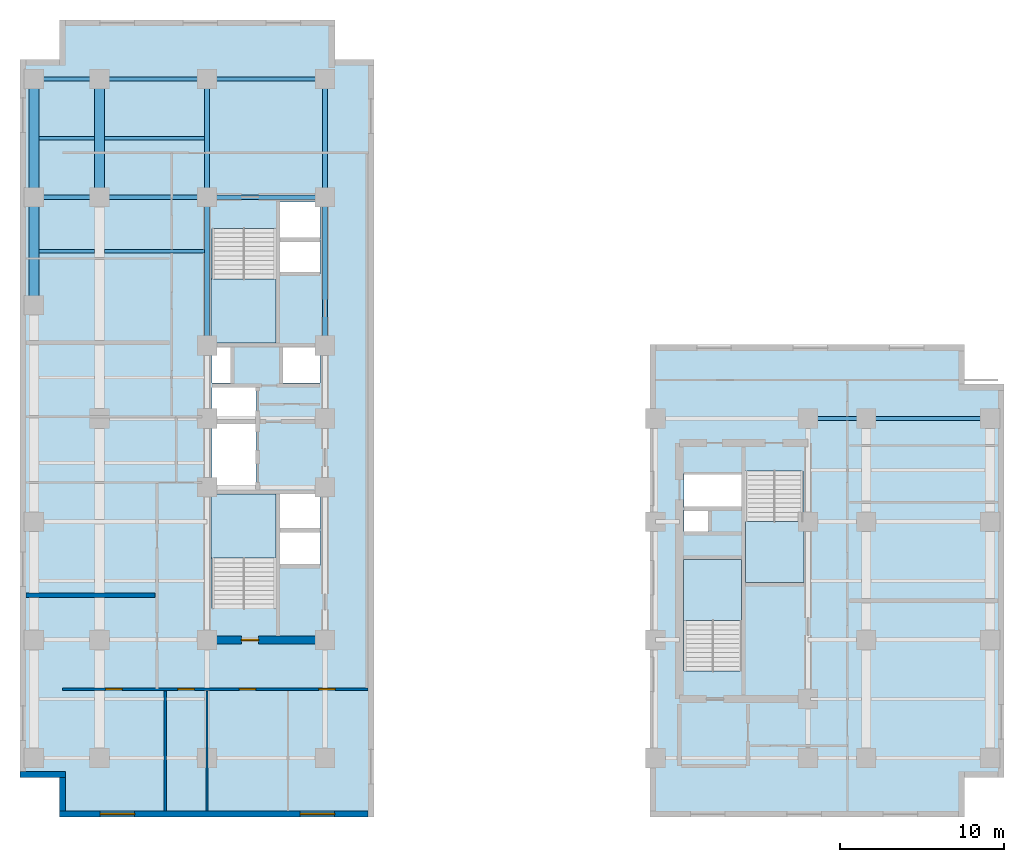
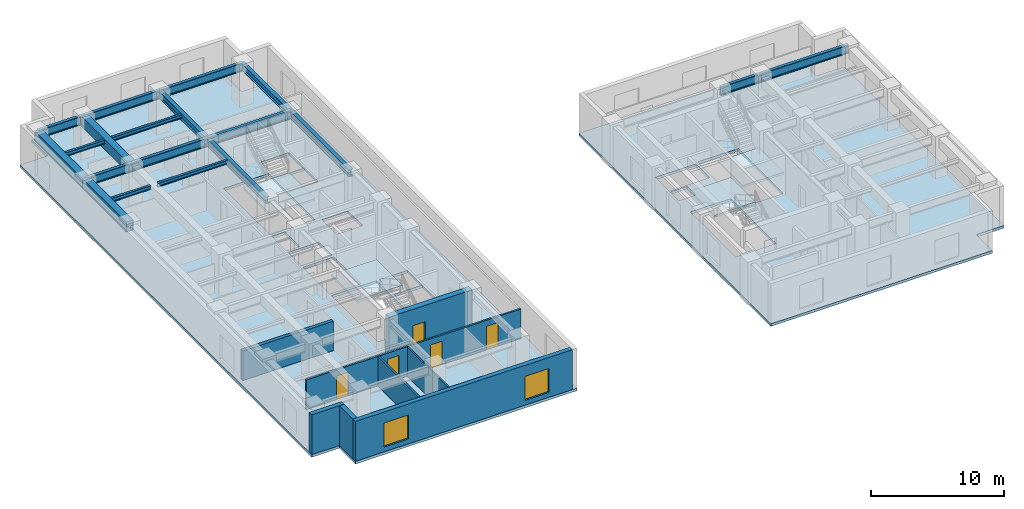
# One storey, part 2 of 8: 19 beams, 8 walls, 6 slabs, 5 doors, 2 windows, 7 openings, 4 elements without a shape of their own.
"""IFC4 building model written with IfcOpenShell, lengths in metres."""

from ifc_helpers import new_model, entity, si_unit, converted_unit, direction, frame, origin_with_axes, origin_2d_with_axis, place, context, subcontext, project, spatial, polyline, rectangle, i_section, outline, extrude, material, layer, layer_set, material_profile, profile_set, type_object, element, fill, aggregate, save


model = new_model("IFC4")

# Units and contexts
model_context = context("Model", 3, precision=1e-05, world=origin_with_axes(), true_north=direction((0.0, 1.0)))
body_context = subcontext(model_context, "Body", "Model", "MODEL_VIEW")
ifc_project = project(units=[si_unit("LENGTHUNIT", "METRE"), si_unit("AREAUNIT", "SQUARE_METRE"), si_unit("VOLUMEUNIT", "CUBIC_METRE"), converted_unit("PLANEANGLEUNIT", "DEGREE", entity("IfcPlaneAngleMeasure", 0.017453292519943295), si_unit("PLANEANGLEUNIT", "RADIAN"), dimensions=[0, 0, 0, 0, 0, 0, 0]), si_unit("MASSUNIT", "GRAM", prefix="KILO"), si_unit("THERMODYNAMICTEMPERATUREUNIT", "KELVIN")], contexts=[model_context])

# Site, building, storey
site_placement = place(None, origin_with_axes())
site = spatial("IfcSite", under=ifc_project, at=site_placement, CompositionType="ELEMENT")
building_placement = place(site_placement, origin_with_axes())
building = spatial("IfcBuilding", under=site, at=building_placement, Name="Varnlund Millrace Tower", CompositionType="ELEMENT")
storey_placement = place(building_placement, frame((0.0, 0.0, 116.4), z_axis=(0.0, 0.0, 1.0), x_axis=(1.0, 0.0, 0.0)))
storey = spatial("IfcBuildingStorey", under=building, at=storey_placement, Name="L28", CompositionType="ELEMENT", Elevation=116.4)

# Beams
ifc_material_1 = material(Name="Steel ASTM A992 Grade 50", Category="steel")
ifc_material_profile_1 = material_profile(ifc_material_1, i_section(OverallWidth=0.328, OverallDepth=0.628, WebThickness=0.0165, FlangeThickness=0.0277, FilletRadius=0.018, at=origin_2d_with_axis()), Name="Steel ASTM A992 Grade 50")
ifc_profile_set_1 = profile_set([ifc_material_profile_1], Name="Steel ASTM A992 Grade 50")
beam_type_1 = type_object("IfcBeamType", Name="Type-Girder-W24X146", PredefinedType="USERDEFINED", material=ifc_profile_set_1)
beam_1_placement = place(storey_placement, frame((11.4, 28.75, 3.346), z_axis=(0.0, 1.0, 0.0), x_axis=(-1.0, 0.0, 0.0)))
element("IfcBeam", 1, at=beam_1_placement, inside=storey, type_object=beam_type_1, Name="Type-Girder-W24X146", ObjectType="GIRDER", PredefinedType="USERDEFINED", context=body_context, shape_type="SweptSolid", body=[
    extrude(i_section(OverallWidth=0.328, OverallDepth=0.628, WebThickness=0.0165, FlangeThickness=0.0277, FilletRadius=0.018, at=origin_2d_with_axis()), origin_with_axes(), (0.0, 0.0, 1.0), 9.05),
])
beam_2_placement = place(storey_placement, frame((11.4, 37.8, 3.346), z_axis=(0.0, 1.0, 0.0), x_axis=(-1.0, 0.0, 0.0)))
element("IfcBeam", 2, at=beam_2_placement, inside=storey, type_object=beam_type_1, Name="Type-Girder-W24X146", ObjectType="GIRDER", PredefinedType="USERDEFINED", context=body_context, shape_type="SweptSolid", body=[
    extrude(i_section(OverallWidth=0.328, OverallDepth=0.628, WebThickness=0.0165, FlangeThickness=0.0277, FilletRadius=0.018, at=origin_2d_with_axis()), origin_with_axes(), (0.0, 0.0, 1.0), 7.2),
])
beam_3_placement = place(storey_placement, frame((18.6, 28.75, 3.346), z_axis=(0.0, 1.0, 0.0), x_axis=(-1.0, 0.0, 0.0)))
element("IfcBeam", 3, at=beam_3_placement, inside=storey, type_object=beam_type_1, Name="Type-Girder-W24X146", ObjectType="GIRDER", PredefinedType="USERDEFINED", context=body_context, shape_type="SweptSolid", body=[
    extrude(i_section(OverallWidth=0.328, OverallDepth=0.628, WebThickness=0.0165, FlangeThickness=0.0277, FilletRadius=0.018, at=origin_2d_with_axis()), origin_with_axes(), (0.0, 0.0, 1.0), 9.05),
])
beam_4_placement = place(storey_placement, frame((18.6, 37.8, 3.346), z_axis=(0.0, 1.0, 0.0), x_axis=(-1.0, 0.0, 0.0)))
element("IfcBeam", 4, at=beam_4_placement, inside=storey, type_object=beam_type_1, Name="Type-Girder-W24X146", ObjectType="GIRDER", PredefinedType="USERDEFINED", context=body_context, shape_type="SweptSolid", body=[
    extrude(i_section(OverallWidth=0.328, OverallDepth=0.628, WebThickness=0.0165, FlangeThickness=0.0277, FilletRadius=0.018, at=origin_2d_with_axis()), origin_with_axes(), (0.0, 0.0, 1.0), 7.2),
])
ifc_material_profile_2 = material_profile(ifc_material_1, i_section(OverallWidth=0.266, OverallDepth=0.779, WebThickness=0.0165, FlangeThickness=0.03, FilletRadius=0.02, at=origin_2d_with_axis()), Name="Steel ASTM A992 Grade 50")
ifc_profile_set_2 = profile_set([ifc_material_profile_2], Name="Steel ASTM A992 Grade 50")
beam_type_2 = type_object("IfcBeamType", Name="Type-Girder-W30X148", PredefinedType="USERDEFINED", material=ifc_profile_set_2)
beam_5_placement = place(storey_placement, frame((48.05, 24.3, 3.2705), z_axis=(1.0, 0.0, 0.0), x_axis=(0.0, 1.0, 0.0)))
element("IfcBeam", 5, at=beam_5_placement, inside=storey, type_object=beam_type_2, Name="Type-Girder-W30X148", ObjectType="GIRDER", PredefinedType="USERDEFINED", context=body_context, shape_type="SweptSolid", body=[
    extrude(i_section(OverallWidth=0.266, OverallDepth=0.779, WebThickness=0.0165, FlangeThickness=0.03, FilletRadius=0.02, at=origin_2d_with_axis()), origin_with_axes(), (0.0, 0.0, 1.0), 3.55),
])
beam_6_placement = place(storey_placement, frame((51.6, 24.3, 3.2705), z_axis=(1.0, 0.0, 0.0), x_axis=(0.0, 1.0, 0.0)))
element("IfcBeam", 6, at=beam_6_placement, inside=storey, type_object=beam_type_2, Name="Type-Girder-W30X148", ObjectType="GIRDER", PredefinedType="USERDEFINED", context=body_context, shape_type="SweptSolid", body=[
    extrude(i_section(OverallWidth=0.266, OverallDepth=0.779, WebThickness=0.0165, FlangeThickness=0.03, FilletRadius=0.02, at=origin_2d_with_axis()), origin_with_axes(), (0.0, 0.0, 1.0), 7.55),
])
beam_7_placement = place(storey_placement, frame((0.85, 37.8, 3.2705), z_axis=(1.0, 0.0, 0.0), x_axis=(0.0, 1.0, 0.0)))
element("IfcBeam", 7, at=beam_7_placement, inside=storey, type_object=beam_type_2, Name="Type-Girder-W30X148", ObjectType="GIRDER", PredefinedType="USERDEFINED", context=body_context, shape_type="SweptSolid", body=[
    extrude(i_section(OverallWidth=0.266, OverallDepth=0.779, WebThickness=0.0165, FlangeThickness=0.03, FilletRadius=0.02, at=origin_2d_with_axis()), origin_with_axes(), (0.0, 0.0, 1.0), 4.0),
])
beam_8_placement = place(storey_placement, frame((4.85, 37.8, 3.2705), z_axis=(1.0, 0.0, 0.0), x_axis=(0.0, 1.0, 0.0)))
element("IfcBeam", 8, at=beam_8_placement, inside=storey, type_object=beam_type_2, Name="Type-Girder-W30X148", ObjectType="GIRDER", PredefinedType="USERDEFINED", context=body_context, shape_type="SweptSolid", body=[
    extrude(i_section(OverallWidth=0.266, OverallDepth=0.779, WebThickness=0.0165, FlangeThickness=0.03, FilletRadius=0.02, at=origin_2d_with_axis()), origin_with_axes(), (0.0, 0.0, 1.0), 6.55),
])
beam_9_placement = place(storey_placement, frame((11.4, 37.8, 3.2705), z_axis=(1.0, 0.0, 0.0), x_axis=(0.0, 1.0, 0.0)))
element("IfcBeam", 9, at=beam_9_placement, inside=storey, type_object=beam_type_2, Name="Type-Girder-W30X148", ObjectType="GIRDER", PredefinedType="USERDEFINED", context=body_context, shape_type="SweptSolid", body=[
    extrude(i_section(OverallWidth=0.266, OverallDepth=0.779, WebThickness=0.0165, FlangeThickness=0.03, FilletRadius=0.02, at=origin_2d_with_axis()), origin_with_axes(), (0.0, 0.0, 1.0), 7.2),
])
beam_10_placement = place(storey_placement, frame((0.85, 45.0, 3.2705), z_axis=(1.0, 0.0, 0.0), x_axis=(0.0, 1.0, 0.0)))
element("IfcBeam", 10, at=beam_10_placement, inside=storey, type_object=beam_type_2, Name="Type-Girder-W30X148", ObjectType="GIRDER", PredefinedType="USERDEFINED", context=body_context, shape_type="SweptSolid", body=[
    extrude(i_section(OverallWidth=0.266, OverallDepth=0.779, WebThickness=0.0165, FlangeThickness=0.03, FilletRadius=0.02, at=origin_2d_with_axis()), origin_with_axes(), (0.0, 0.0, 1.0), 4.0),
])
beam_11_placement = place(storey_placement, frame((4.85, 45.0, 3.2705), z_axis=(1.0, 0.0, 0.0), x_axis=(0.0, 1.0, 0.0)))
element("IfcBeam", 11, at=beam_11_placement, inside=storey, type_object=beam_type_2, Name="Type-Girder-W30X148", ObjectType="GIRDER", PredefinedType="USERDEFINED", context=body_context, shape_type="SweptSolid", body=[
    extrude(i_section(OverallWidth=0.266, OverallDepth=0.779, WebThickness=0.0165, FlangeThickness=0.03, FilletRadius=0.02, at=origin_2d_with_axis()), origin_with_axes(), (0.0, 0.0, 1.0), 6.55),
])
beam_12_placement = place(storey_placement, frame((11.4, 45.0, 3.2705), z_axis=(1.0, 0.0, 0.0), x_axis=(0.0, 1.0, 0.0)))
element("IfcBeam", 12, at=beam_12_placement, inside=storey, type_object=beam_type_2, Name="Type-Girder-W30X148", ObjectType="GIRDER", PredefinedType="USERDEFINED", context=body_context, shape_type="SweptSolid", body=[
    extrude(i_section(OverallWidth=0.266, OverallDepth=0.779, WebThickness=0.0165, FlangeThickness=0.03, FilletRadius=0.02, at=origin_2d_with_axis()), origin_with_axes(), (0.0, 0.0, 1.0), 7.2),
])
ifc_material_profile_3 = material_profile(ifc_material_1, i_section(OverallWidth=0.204, OverallDepth=0.35, WebThickness=0.0086, FlangeThickness=0.0151, FilletRadius=0.013, at=origin_2d_with_axis()), Name="Steel ASTM A992 Grade 50")
ifc_profile_set_3 = profile_set([ifc_material_profile_3], Name="Steel ASTM A992 Grade 50")
beam_type_3 = type_object("IfcBeamType", Name="Type-Joist-W14X48", PredefinedType="JOIST", material=ifc_profile_set_3)
for number, where, z_axis, x_axis, name in (
    (13, (1.15, 34.5, 3.485), (1.0, 0.0, 0.0), (0.0, 1.0, 0.0), "Type-Joist-W14X48"),
    (14, (1.15, 41.4, 3.485), (1.0, 0.0, 0.0), (0.0, 1.0, 0.0), "Type-Joist-W14X48"),
):
    element("IfcBeam", number, at=place(storey_placement, frame(where, z_axis=z_axis, x_axis=x_axis)), inside=storey, type_object=beam_type_3, Name=name, PredefinedType="JOIST", context=body_context, shape_type="SweptSolid", body=[
        extrude(i_section(OverallWidth=0.204, OverallDepth=0.35, WebThickness=0.0086, FlangeThickness=0.0151, FilletRadius=0.013, at=origin_2d_with_axis()), origin_with_axes(), (0.0, 0.0, 1.0), 3.4),
    ])
for number, where, z_axis, x_axis, name in (
    (15, (5.15, 34.5, 3.485), (1.0, 0.0, 0.0), (0.0, 1.0, 0.0), "Type-Joist-W14X48"),
    (16, (5.15, 41.4, 3.485), (1.0, 0.0, 0.0), (0.0, 1.0, 0.0), "Type-Joist-W14X48"),
):
    element("IfcBeam", number, at=place(storey_placement, frame(where, z_axis=z_axis, x_axis=x_axis)), inside=storey, type_object=beam_type_3, Name=name, PredefinedType="JOIST", context=body_context, shape_type="SweptSolid", body=[
        extrude(i_section(OverallWidth=0.204, OverallDepth=0.35, WebThickness=0.0086, FlangeThickness=0.0151, FilletRadius=0.013, at=origin_2d_with_axis()), origin_with_axes(), (0.0, 0.0, 1.0), 6.086),
    ])
ifc_material_2 = material(Name="Concrete C70/85", Category="concrete")
ifc_material_profile_4 = material_profile(ifc_material_2, rectangle(XDim=0.6, YDim=0.9, at=origin_2d_with_axis()), Name="Concrete C70/85")
ifc_profile_set_4 = profile_set([ifc_material_profile_4], Name="Concrete C70/85")
beam_type_4 = type_object("IfcBeamType", Name="Type-Spandrel-RC600X900", PredefinedType="SPANDREL", material=ifc_profile_set_4)
beam_13_placement = place(storey_placement, frame((0.85, 31.2, 3.21), z_axis=(0.0, 1.0, 0.0), x_axis=(-1.0, 0.0, 0.0)))
element("IfcBeam", 17, at=beam_13_placement, inside=storey, type_object=beam_type_4, Name="Type-Spandrel-RC600X900", PredefinedType="SPANDREL", context=body_context, shape_type="SweptSolid", body=[
    extrude(rectangle(XDim=0.6, YDim=0.9, at=origin_2d_with_axis()), origin_with_axes(), (0.0, 0.0, 1.0), 6.6),
])
for number, where, z_axis, x_axis, name in (
    (18, (0.85, 37.8, 3.21), (0.0, 1.0, 0.0), (-1.0, 0.0, 0.0), "Type-Spandrel-RC600X900"),
    (19, (4.85, 37.8, 3.21), (0.0, 1.0, 0.0), (-1.0, 0.0, 0.0), "Type-Spandrel-RC600X900"),
):
    element("IfcBeam", number, at=place(storey_placement, frame(where, z_axis=z_axis, x_axis=x_axis)), inside=storey, type_object=beam_type_4, Name=name, PredefinedType="SPANDREL", context=body_context, shape_type="SweptSolid", body=[
        extrude(rectangle(XDim=0.6, YDim=0.9, at=origin_2d_with_axis()), origin_with_axes(), (0.0, 0.0, 1.0), 7.2),
    ])

# Slabs
ifc_material_3 = material(Name="Concrete C60/75", Category="concrete")
ifc_layer_1 = layer(ifc_material_3, 0.24, Name="Concrete C60/75")
ifc_layer_set_1 = layer_set([ifc_layer_1], Name="Concrete C60/75")
slab_type_1 = type_object("IfcSlabType", Name="Type-Deck-Plate-Typical-240", PredefinedType="FLOOR", material=ifc_layer_set_1)
slab_1_placement = place(storey_placement, frame((0.0, 0.0, -0.24), z_axis=(0.0, 0.0, 1.0), x_axis=(1.0, 0.0, 0.0)))
element("IfcSlab", 20, at=slab_1_placement, inside=storey, type_object=slab_type_1, Name="Type-Deck-Plate-Typical-240", PredefinedType="FLOOR", context=body_context, shape_type="SweptSolid", body=[
    extrude(outline(polyline([(2.4, 2.4), (2.4, 0.0), (21.6, 0.0), (21.6, 46.2), (19.2, 46.2), (19.2, 48.6), (2.4, 48.6), (2.4, 46.2), (0.0, 46.2), (0.0, 2.4), (2.4, 2.4)]), holes=[polyline([(15.6, 19.7), (15.6, 12.715), (11.7, 12.715), (11.7, 19.7), (15.6, 19.7)]), polyline([(11.7, 23.98), (14.38, 23.98), (14.38, 19.94), (11.7, 19.94), (11.7, 23.98)]), polyline([(14.38, 24.24), (11.7, 24.24), (11.7, 26.2), (14.38, 26.2), (14.38, 24.24)]), polyline([(12.84, 26.46), (11.7, 26.46), (11.7, 28.65), (12.84, 28.65), (12.84, 26.46)]), polyline([(15.6, 35.885), (15.6, 28.9), (11.7, 28.9), (11.7, 35.885), (15.6, 35.885)]), polyline([(18.3, 15.34), (15.84, 15.34), (15.84, 17.46), (18.3, 17.46), (18.3, 15.34)]), polyline([(18.3, 17.52), (15.84, 17.52), (15.84, 19.7), (18.3, 19.7), (18.3, 17.52)]), polyline([(18.3, 28.65), (18.3, 26.46), (16.04, 26.46), (16.04, 28.65), (18.3, 28.65)]), polyline([(18.3, 33.12), (15.84, 33.12), (15.84, 35.18), (18.3, 35.18), (18.3, 33.12)]), polyline([(18.3, 35.22), (15.84, 35.22), (15.84, 37.5), (18.3, 37.5), (18.3, 35.22)])]), origin_with_axes(), (0.0, 0.0, 1.0), 0.24),
])
slab_2_placement = place(storey_placement, frame((0.0, 0.0, -0.24), z_axis=(0.0, 0.0, 1.0), x_axis=(1.0, 0.0, 0.0)))
element("IfcSlab", 21, at=slab_2_placement, inside=storey, type_object=slab_type_1, Name="Type-Deck-Plate-Typical-240", PredefinedType="FLOOR", context=body_context, shape_type="SweptSolid", body=[
    extrude(outline(polyline([(38.4, 0.0), (57.6, 0.0), (57.6, 2.4), (60.0, 2.4), (60.0, 26.4), (57.6, 26.4), (57.6, 28.8), (38.4, 28.8), (38.4, 0.0)]), holes=[polyline([(40.5, 15.7), (44.0, 15.7), (44.0, 8.915), (40.5, 8.915), (40.5, 15.7)]), polyline([(44.25, 21.085), (47.75, 21.085), (47.75, 14.3), (44.25, 14.3), (44.25, 21.085)]), polyline([(40.5, 18.72), (41.95, 18.72), (41.95, 17.42), (40.5, 17.42), (40.5, 18.72)]), polyline([(40.5, 20.94), (44.0, 20.94), (44.0, 18.88), (40.5, 18.88), (40.5, 20.94)])]), origin_with_axes(), (0.0, 0.0, 1.0), 0.24),
])

# Stair, slab
ifc_material_4 = material(Name="Concrete C50/60", Category="concrete")
stair_type_1 = type_object("IfcStairType", Name="Type-Stair-Dogleg-185-390", PredefinedType="HALF_TURN_STAIR", material=ifc_material_4)
stair_1_placement = place(storey_placement, origin_with_axes())
stair_1 = element("IfcStair", 22, at=stair_1_placement, inside=storey, type_object=stair_type_1, Name="Type-Stair-Dogleg-185-390", PredefinedType="HALF_TURN_STAIR")
ifc_layer_2 = layer(ifc_material_4, 0.2, Name="Concrete C50/60")
ifc_layer_set_2 = layer_set([ifc_layer_2], Name="Concrete C50/60")
slab_type_2 = type_object("IfcSlabType", Name="Type-StairLanding-200", PredefinedType="LANDING", material=ifc_layer_set_2)
slab_3_placement = place(storey_placement, frame((0.0, 0.0, 1.75), z_axis=(0.0, 0.0, 1.0), x_axis=(1.0, 0.0, 0.0)))
slab_3 = element("IfcSlab", 23, at=slab_3_placement, type_object=slab_type_2, Name="ST-A1 landing 1", PredefinedType="LANDING", context=body_context, shape_type="SweptSolid", body=[
    extrude(outline(polyline([(15.6, 15.78), (15.6, 19.7), (11.65, 19.7), (11.65, 15.78), (15.6, 15.78)])), origin_with_axes(), (0.0, 0.0, 1.0), 0.2),
])
aggregate(stair_1, [slab_3])

stair_2_placement = place(storey_placement, origin_with_axes())
stair_2 = element("IfcStair", 24, at=stair_2_placement, inside=storey, type_object=stair_type_1, Name="Type-Stair-Dogleg-185-390", PredefinedType="HALF_TURN_STAIR")
slab_4_placement = place(storey_placement, frame((0.0, 0.0, 1.75), z_axis=(0.0, 0.0, 1.0), x_axis=(1.0, 0.0, 0.0)))
slab_4 = element("IfcSlab", 25, at=slab_4_placement, type_object=slab_type_2, Name="ST-A2 landing 1", PredefinedType="LANDING", context=body_context, shape_type="SweptSolid", body=[
    extrude(outline(polyline([(11.65, 32.82), (11.65, 28.9), (15.6, 28.9), (15.6, 32.82), (11.65, 32.82)])), origin_with_axes(), (0.0, 0.0, 1.0), 0.2),
])
aggregate(stair_2, [slab_4])

stair_type_2 = type_object("IfcStairType", Name="Type-Stair-Dogleg-165-390", PredefinedType="HALF_TURN_STAIR", material=ifc_material_4)
stair_3_placement = place(storey_placement, origin_with_axes())
stair_3 = element("IfcStair", 26, at=stair_3_placement, inside=storey, type_object=stair_type_2, Name="Type-Stair-Dogleg-165-390", PredefinedType="HALF_TURN_STAIR")
slab_5_placement = place(storey_placement, frame((0.0, 0.0, 1.75), z_axis=(0.0, 0.0, 1.0), x_axis=(1.0, 0.0, 0.0)))
slab_5 = element("IfcSlab", 27, at=slab_5_placement, type_object=slab_type_2, Name="ST-B1 landing 1", PredefinedType="LANDING", context=body_context, shape_type="SweptSolid", body=[
    extrude(outline(polyline([(44.0, 11.98), (44.0, 15.7), (40.45, 15.7), (40.45, 11.98), (44.0, 11.98)])), origin_with_axes(), (0.0, 0.0, 1.0), 0.2),
])
aggregate(stair_3, [slab_5])

stair_4_placement = place(storey_placement, origin_with_axes())
stair_4 = element("IfcStair", 28, at=stair_4_placement, inside=storey, type_object=stair_type_2, Name="Type-Stair-Dogleg-165-390", PredefinedType="HALF_TURN_STAIR")
slab_6_placement = place(storey_placement, frame((0.0, 0.0, 1.75), z_axis=(0.0, 0.0, 1.0), x_axis=(1.0, 0.0, 0.0)))
slab_6 = element("IfcSlab", 29, at=slab_6_placement, type_object=slab_type_2, Name="ST-B2 landing 1", PredefinedType="LANDING", context=body_context, shape_type="SweptSolid", body=[
    extrude(outline(polyline([(44.25, 18.02), (44.25, 14.3), (47.8, 14.3), (47.8, 18.02), (44.25, 18.02)])), origin_with_axes(), (0.0, 0.0, 1.0), 0.2),
])
aggregate(stair_4, [slab_6])

# Wall, opening, door
ifc_layer_3 = layer(ifc_material_2, 0.5, Name="Concrete C70/85")
ifc_layer_set_3 = layer_set([ifc_layer_3], Name="Concrete C70/85")
wall_type_1 = type_object("IfcWallType", Name="Type-CoreWall-Shear-500-C70", PredefinedType="SHEAR", material=ifc_layer_set_3)
wall_1_placement = place(storey_placement, frame((11.4, 10.8, 0.0), z_axis=(0.0, 0.0, 1.0), x_axis=(1.0, 0.0, 0.0)))
wall_1 = element("IfcWall", 30, at=wall_1_placement, inside=storey, type_object=wall_type_1, Name="Type-CoreWall-Shear-500-C70", PredefinedType="SHEAR", context=body_context, shape_type="SweptSolid", body=[
    extrude(outline(polyline([(0.0, -0.25), (7.2, -0.25), (7.2, 0.25), (0.0, 0.25), (0.0, -0.25)])), origin_with_axes(), (0.0, 0.0, 1.0), 3.66),
])
opening_1_placement = place(wall_1_placement, frame((2.625, 0.0, 0.0), z_axis=(0.0, 0.0, 1.0), x_axis=(1.0, 0.0, 0.0)))
opening_1 = element("IfcOpeningElement", 31, at=opening_1_placement, cuts=wall_1, Name="Opening L28:DR-STA1", PredefinedType="OPENING", context=body_context, shape_type="SweptSolid", body=[
    extrude(rectangle(XDim=1.05, YDim=0.52, at=origin_2d_with_axis()), origin_with_axes(), (0.0, 0.0, 1.0), 2.15),
])
ifc_material_5 = material(Name="Fire-rated hollow steel door", Category="steel")
door_type_1 = type_object("IfcDoorType", Name="Type-FireDoor-Stair-1050X2150", OperationType="NOTDEFINED", PredefinedType="DOOR", material=ifc_material_5)
door_1_placement = place(wall_1_placement, frame((2.625, 0.0, 0.0), z_axis=(0.0, 0.0, 1.0), x_axis=(1.0, 0.0, 0.0)))
door_1 = element("IfcDoor", 32, at=door_1_placement, inside=storey, type_object=door_type_1, Name="Type-FireDoor-Stair-1050X2150", OperationType="SINGLE_SWING_LEFT", OverallHeight=2.15, OverallWidth=1.05, PredefinedType="DOOR", context=body_context, shape_type="SweptSolid", body=[
    extrude(rectangle(XDim=1.05, YDim=0.09, at=origin_2d_with_axis()), origin_with_axes(), (0.0, 0.0, 1.0), 2.15),
])
fill(opening_1, door_1)

# Wall, openings, windows
ifc_material_6 = material(Name="Precast concrete C50/60", Category="concrete")
ifc_layer_4 = layer(ifc_material_6, 0.38, Name="Precast concrete C50/60")
ifc_layer_set_4 = layer_set([ifc_layer_4], Name="Precast concrete C50/60")
wall_type_2 = type_object("IfcWallType", Name="Type-ExtWall-Precast-Tube-380", PredefinedType="SOLIDWALL", material=ifc_layer_set_4)
wall_2_placement = place(storey_placement, frame((21.22, 0.19, 0.0), z_axis=(0.0, 0.0, 1.0), x_axis=(-1.0, 0.0, 0.0)))
wall_2 = element("IfcWall", 33, at=wall_2_placement, inside=storey, type_object=wall_type_2, Name="Type-ExtWall-Precast-Tube-380", PredefinedType="SOLIDWALL", context=body_context, shape_type="SweptSolid", body=[
    extrude(outline(polyline([(0.0, -0.19), (18.82, -0.19), (18.82, 0.19), (0.0, 0.19), (0.0, -0.19)])), origin_with_axes(), (0.0, 0.0, 1.0), 3.66),
])
opening_2_placement = place(wall_2_placement, frame((3.087, 0.0, 0.45), z_axis=(0.0, 0.0, 1.0), x_axis=(1.0, 0.0, 0.0)))
opening_2 = element("IfcOpeningElement", 34, at=opening_2_placement, cuts=wall_2, Name="Opening L28:WN-09", PredefinedType="OPENING", context=body_context, shape_type="SweptSolid", body=[
    extrude(rectangle(XDim=2.1, YDim=0.4, at=origin_2d_with_axis()), origin_with_axes(), (0.0, 0.0, 1.0), 2.2),
])
opening_3_placement = place(wall_2_placement, frame((15.283, 0.0, 0.45), z_axis=(0.0, 0.0, 1.0), x_axis=(1.0, 0.0, 0.0)))
opening_3 = element("IfcOpeningElement", 35, at=opening_3_placement, cuts=wall_2, Name="Opening L28:WN-10", PredefinedType="OPENING", context=body_context, shape_type="SweptSolid", body=[
    extrude(rectangle(XDim=2.1, YDim=0.4, at=origin_2d_with_axis()), origin_with_axes(), (0.0, 0.0, 1.0), 2.2),
])
ifc_material_7 = material(Name="Argon low-e triple glazing in thermally broken bronze frame", Category="glass")
window_type = type_object("IfcWindowType", Name="Type-Window-Punched-2100X2200", PartitioningType="SINGLE_PANEL", PredefinedType="WINDOW", material=ifc_material_7)
window_1_placement = place(wall_2_placement, frame((3.087, 0.0, 0.45), z_axis=(0.0, 0.0, 1.0), x_axis=(1.0, 0.0, 0.0)))
window_1 = element("IfcWindow", 36, at=window_1_placement, inside=storey, type_object=window_type, Name="Type-Window-Punched-2100X2200", OverallHeight=2.2, OverallWidth=2.1, PredefinedType="WINDOW", context=body_context, shape_type="SweptSolid", body=[
    extrude(rectangle(XDim=2.1, YDim=0.09, at=origin_2d_with_axis()), origin_with_axes(), (0.0, 0.0, 1.0), 2.2),
])
fill(opening_2, window_1)
window_2_placement = place(wall_2_placement, frame((15.283, 0.0, 0.45), z_axis=(0.0, 0.0, 1.0), x_axis=(1.0, 0.0, 0.0)))
window_2 = element("IfcWindow", 37, at=window_2_placement, inside=storey, type_object=window_type, Name="Type-Window-Punched-2100X2200", OverallHeight=2.2, OverallWidth=2.1, PredefinedType="WINDOW", context=body_context, shape_type="SweptSolid", body=[
    extrude(rectangle(XDim=2.1, YDim=0.09, at=origin_2d_with_axis()), origin_with_axes(), (0.0, 0.0, 1.0), 2.2),
])
fill(opening_3, window_2)

# Walls
wall_3_placement = place(storey_placement, frame((2.59, 0.38, 0.0), z_axis=(0.0, 0.0, 1.0), x_axis=(0.0, 1.0, 0.0)))
element("IfcWall", 38, at=wall_3_placement, inside=storey, type_object=wall_type_2, Name="Type-ExtWall-Precast-Tube-380", PredefinedType="SOLIDWALL", context=body_context, shape_type="SweptSolid", body=[
    extrude(outline(polyline([(0.0, -0.19), (2.02, -0.19), (2.02, 0.19), (0.0, 0.19), (0.0, -0.19)])), origin_with_axes(), (0.0, 0.0, 1.0), 3.66),
])
wall_4_placement = place(storey_placement, frame((2.78, 2.59, 0.0), z_axis=(0.0, 0.0, 1.0), x_axis=(-1.0, 0.0, 0.0)))
element("IfcWall", 39, at=wall_4_placement, inside=storey, type_object=wall_type_2, Name="Type-ExtWall-Precast-Tube-380", PredefinedType="SOLIDWALL", context=body_context, shape_type="SweptSolid", body=[
    extrude(outline(polyline([(0.0, -0.19), (2.78, -0.19), (2.78, 0.19), (0.0, 0.19), (0.0, -0.19)])), origin_with_axes(), (0.0, 0.0, 1.0), 3.66),
])
ifc_material_8 = material(Name="Double-stud STC-60 conference acoustic partition", Category="gypsum")
ifc_layer_5 = layer(ifc_material_8, 0.28, Name="Double-stud STC-60 conference acoustic partition")
ifc_layer_set_5 = layer_set([ifc_layer_5], Name="Double-stud STC-60 conference acoustic partition")
wall_type_3 = type_object("IfcWallType", Name="Type-Partition-Acoustic-280", PredefinedType="PARTITIONING", material=ifc_layer_set_5)
wall_5_placement = place(storey_placement, frame((0.375, 13.531, 0.0), z_axis=(0.0, 0.0, 1.0), x_axis=(1.0, 0.0, 0.0)))
element("IfcWall", 40, at=wall_5_placement, inside=storey, type_object=wall_type_3, Name="Type-Partition-Acoustic-280", PredefinedType="PARTITIONING", context=body_context, shape_type="SweptSolid", body=[
    extrude(outline(polyline([(0.0, -0.14), (7.855, -0.14), (7.855, 0.14), (0.0, 0.14), (0.0, -0.14)])), origin_with_axes(), (0.0, 0.0, 1.0), 2.7),
])

# Wall, openings, doors
ifc_material_9 = material(Name="Fire-rated gypsum board on cold-formed steel framing", Category="steel")
ifc_layer_6 = layer(ifc_material_9, 0.16, Name="Fire-rated gypsum board on cold-formed steel framing")
ifc_layer_set_6 = layer_set([ifc_layer_6], Name="Fire-rated gypsum board on cold-formed steel framing")
wall_type_4 = type_object("IfcWallType", Name="Type-Partition-Corridor-160", PredefinedType="PARTITIONING", material=ifc_layer_set_6)
wall_6_placement = place(storey_placement, frame((2.6, 7.8, 0.0), z_axis=(0.0, 0.0, 1.0), x_axis=(1.0, 0.0, 0.0)))
wall_6 = element("IfcWall", 41, at=wall_6_placement, inside=storey, type_object=wall_type_4, Name="Type-Partition-Corridor-160", PredefinedType="PARTITIONING", context=body_context, shape_type="SweptSolid", body=[
    extrude(outline(polyline([(0.0, -0.08), (18.625, -0.08), (18.625, 0.08), (0.0, 0.08), (0.0, -0.08)])), origin_with_axes(), (0.0, 0.0, 1.0), 2.7),
])
opening_4_placement = place(wall_6_placement, frame((3.125, 0.0, 0.0), z_axis=(0.0, 0.0, 1.0), x_axis=(1.0, 0.0, 0.0)))
opening_4 = element("IfcOpeningElement", 42, at=opening_4_placement, cuts=wall_6, Name="Opening L28:DR-WAS-01", PredefinedType="OPENING", context=body_context, shape_type="SweptSolid", body=[
    extrude(rectangle(XDim=1.0, YDim=0.18, at=origin_2d_with_axis()), origin_with_axes(), (0.0, 0.0, 1.0), 2.15),
])
opening_5_placement = place(wall_6_placement, frame((7.53, 0.0, 0.0), z_axis=(0.0, 0.0, 1.0), x_axis=(1.0, 0.0, 0.0)))
opening_5 = element("IfcOpeningElement", 43, at=opening_5_placement, cuts=wall_6, Name="Opening L28:DR-WAS-02", PredefinedType="OPENING", context=body_context, shape_type="SweptSolid", body=[
    extrude(rectangle(XDim=1.0, YDim=0.18, at=origin_2d_with_axis()), origin_with_axes(), (0.0, 0.0, 1.0), 2.15),
])
opening_6_placement = place(wall_6_placement, frame((11.2705, 0.0, 0.0), z_axis=(0.0, 0.0, 1.0), x_axis=(1.0, 0.0, 0.0)))
opening_6 = element("IfcOpeningElement", 44, at=opening_6_placement, cuts=wall_6, Name="Opening L28:DR-WAS-03", PredefinedType="OPENING", context=body_context, shape_type="SweptSolid", body=[
    extrude(rectangle(XDim=1.0, YDim=0.18, at=origin_2d_with_axis()), origin_with_axes(), (0.0, 0.0, 1.0), 2.15),
])
opening_7_placement = place(wall_6_placement, frame((16.1205, 0.0, 0.0), z_axis=(0.0, 0.0, 1.0), x_axis=(1.0, 0.0, 0.0)))
opening_7 = element("IfcOpeningElement", 45, at=opening_7_placement, cuts=wall_6, Name="Opening L28:DR-WAS-04", PredefinedType="OPENING", context=body_context, shape_type="SweptSolid", body=[
    extrude(rectangle(XDim=1.0, YDim=0.18, at=origin_2d_with_axis()), origin_with_axes(), (0.0, 0.0, 1.0), 2.15),
])
ifc_material_10 = material(Name="Solid-core white oak and bronze frame door")
door_type_2 = type_object("IfcDoorType", Name="Type-IntDoor-Office-1000X2150", OperationType="NOTDEFINED", PredefinedType="DOOR", material=ifc_material_10)
door_2_placement = place(wall_6_placement, frame((3.125, 0.0, 0.0), z_axis=(0.0, 0.0, 1.0), x_axis=(1.0, 0.0, 0.0)))
door_2 = element("IfcDoor", 46, at=door_2_placement, inside=storey, type_object=door_type_2, Name="Type-IntDoor-Office-1000X2150", OperationType="SINGLE_SWING_LEFT", OverallHeight=2.15, OverallWidth=1.0, PredefinedType="DOOR", context=body_context, shape_type="SweptSolid", body=[
    extrude(rectangle(XDim=1.0, YDim=0.09, at=origin_2d_with_axis()), origin_with_axes(), (0.0, 0.0, 1.0), 2.15),
])
fill(opening_4, door_2)
door_3_placement = place(wall_6_placement, frame((7.53, 0.0, 0.0), z_axis=(0.0, 0.0, 1.0), x_axis=(1.0, 0.0, 0.0)))
door_3 = element("IfcDoor", 47, at=door_3_placement, inside=storey, type_object=door_type_2, Name="Type-IntDoor-Office-1000X2150", OperationType="SINGLE_SWING_RIGHT", OverallHeight=2.15, OverallWidth=1.0, PredefinedType="DOOR", context=body_context, shape_type="SweptSolid", body=[
    extrude(rectangle(XDim=1.0, YDim=0.09, at=origin_2d_with_axis()), origin_with_axes(), (0.0, 0.0, 1.0), 2.15),
])
fill(opening_5, door_3)
door_4_placement = place(wall_6_placement, frame((11.2705, 0.0, 0.0), z_axis=(0.0, 0.0, 1.0), x_axis=(1.0, 0.0, 0.0)))
door_4 = element("IfcDoor", 48, at=door_4_placement, inside=storey, type_object=door_type_2, Name="Type-IntDoor-Office-1000X2150", OperationType="SINGLE_SWING_LEFT", OverallHeight=2.15, OverallWidth=1.0, PredefinedType="DOOR", context=body_context, shape_type="SweptSolid", body=[
    extrude(rectangle(XDim=1.0, YDim=0.09, at=origin_2d_with_axis()), origin_with_axes(), (0.0, 0.0, 1.0), 2.15),
])
fill(opening_6, door_4)
door_5_placement = place(wall_6_placement, frame((16.1205, 0.0, 0.0), z_axis=(0.0, 0.0, 1.0), x_axis=(1.0, 0.0, 0.0)))
door_5 = element("IfcDoor", 49, at=door_5_placement, inside=storey, type_object=door_type_2, Name="Type-IntDoor-Office-1000X2150", OperationType="SINGLE_SWING_RIGHT", OverallHeight=2.15, OverallWidth=1.0, PredefinedType="DOOR", context=body_context, shape_type="SweptSolid", body=[
    extrude(rectangle(XDim=1.0, YDim=0.09, at=origin_2d_with_axis()), origin_with_axes(), (0.0, 0.0, 1.0), 2.15),
])
fill(opening_7, door_5)

# Walls
ifc_material_11 = material(Name="Acoustic STC-50 gypsum board partition", Category="gypsum")
ifc_layer_7 = layer(ifc_material_11, 0.15, Name="Acoustic STC-50 gypsum board partition")
ifc_layer_set_7 = layer_set([ifc_layer_7], Name="Acoustic STC-50 gypsum board partition")
wall_type_5 = type_object("IfcWallType", Name="Type-Partition-Demising-150", PredefinedType="PARTITIONING", material=ifc_layer_set_7)
wall_7_placement = place(storey_placement, frame((8.86, 0.36, 0.0), z_axis=(0.0, 0.0, 1.0), x_axis=(0.0, 1.0, 0.0)))
element("IfcWall", 50, at=wall_7_placement, inside=storey, type_object=wall_type_5, Name="Type-Partition-Demising-150", PredefinedType="PARTITIONING", context=body_context, shape_type="SweptSolid", body=[
    extrude(outline(polyline([(0.0, -0.075), (7.34, -0.075), (7.34, 0.075), (0.0, 0.075), (0.0, -0.075)])), origin_with_axes(), (0.0, 0.0, 1.0), 2.7),
])
ifc_material_12 = material(Name="Gypsum board tenant partition", Category="gypsum")
ifc_layer_8 = layer(ifc_material_12, 0.125, Name="Gypsum board tenant partition")
ifc_layer_set_8 = layer_set([ifc_layer_8], Name="Gypsum board tenant partition")
wall_type_6 = type_object("IfcWallType", Name="Type-Partition-Tenant-125", PredefinedType="PARTITIONING", material=ifc_layer_set_8)
wall_8_placement = place(storey_placement, frame((11.4, 0.36, 0.0), z_axis=(0.0, 0.0, 1.0), x_axis=(0.0, 1.0, 0.0)))
element("IfcWall", 51, at=wall_8_placement, inside=storey, type_object=wall_type_6, Name="Type-Partition-Tenant-125", PredefinedType="PARTITIONING", context=body_context, shape_type="SweptSolid", body=[
    extrude(outline(polyline([(0.0, -0.0625), (7.34, -0.0625), (7.34, 0.0625), (0.0, 0.0625), (0.0, -0.0625)])), origin_with_axes(), (0.0, 0.0, 1.0), 2.7),
])

save(model, "model.ifc")
